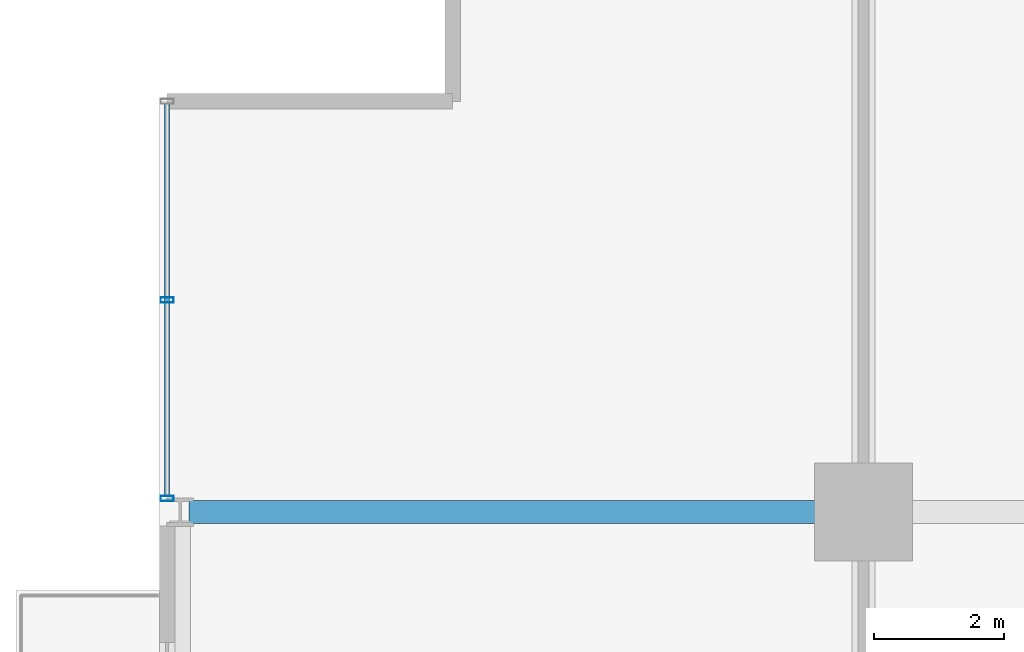
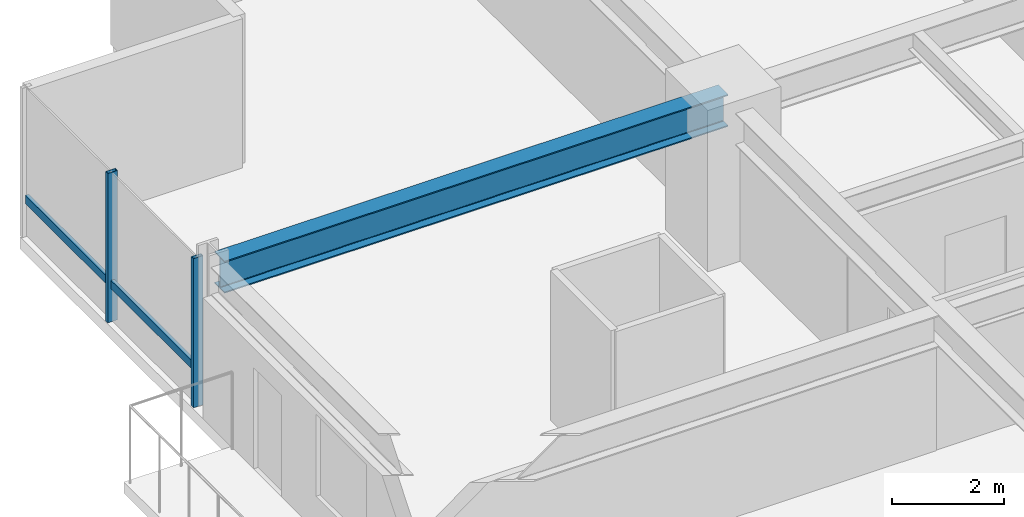
# One storey, part 18 of 35: 3 members, 1 beam, 1 element without a shape of its own.
"""IFC4 building model written with IfcOpenShell, lengths in metres."""

from ifc_helpers import new_model, si_unit, direction, frame, origin, origin_2d, place, context, subcontext, project, spatial, hollow_rectangle, i_section, extrude, material, layer, layer_set, material_profile, profile_set, type_object, element, aggregate, save


model = new_model("IFC4")

# Units and contexts
model_context = context("Model", 3, precision=1e-05, world=origin(), true_north=direction((0.0, 1.0)))
body_context = subcontext(model_context, "Body", "Model", "MODEL_VIEW")
ifc_project = project(units=[si_unit("LENGTHUNIT", "METRE"), si_unit("AREAUNIT", "SQUARE_METRE"), si_unit("VOLUMEUNIT", "CUBIC_METRE"), si_unit("PLANEANGLEUNIT", "RADIAN"), si_unit("MASSUNIT", "GRAM", prefix="KILO")], contexts=[model_context])

# Site, building, storey
site_placement = place(None, origin())
site = spatial("IfcSite", under=ifc_project, at=site_placement, CompositionType="ELEMENT")
building_placement = place(site_placement, origin())
building = spatial("IfcBuilding", under=site, at=building_placement, Name="Drelvath Grand Hotel", CompositionType="ELEMENT")
storey_placement = place(building_placement, frame((0.0, 0.0, 130.300048828125)))
storey = spatial("IfcBuildingStorey", under=building, at=storey_placement, Name="L33", CompositionType="ELEMENT", Elevation=130.300048828125)

# Curtain wall, members
ifc_material_1 = material(Name="Champagne Bronze Anodised Aluminium Frame", Category="aluminium")
ifc_layer = layer(ifc_material_1, 0.199951171875)
ifc_layer_set = layer_set([ifc_layer], Name="Champagne Bronze Anodised Aluminium Frame")
curtain_wall_type = type_object("IfcCurtainWallType", Name="Stick Curtain Wall CW-03 Champagne Bronze Mid-Rise", PredefinedType="NOTDEFINED", material=ifc_layer_set)
curtain_wall_placement = place(storey_placement, origin())
curtain_wall = element("IfcCurtainWall", 1, at=curtain_wall_placement, inside=storey, type_object=curtain_wall_type, Name="L33 CW-03 Curtain Wall CW03-L33-WN3", PredefinedType="NOTDEFINED")
ifc_material_profile_1 = material_profile(ifc_material_1, hollow_rectangle(XDim=0.074951171875, YDim=0.179931640625, WallThickness=0.0048828125, at=origin_2d()), Name="HSS180X75X5")
ifc_profile_set_1 = profile_set([ifc_material_profile_1], Name="Champagne Bronze Anodised Aluminium Frame")
member_type_1 = type_object("IfcMemberType", Name="Curtain Wall Horizontal Transom CW-03 HSS180X75X5", PredefinedType="USERDEFINED", material=ifc_profile_set_1)
member_1_placement = place(storey_placement, frame((-26.8798828125, 43.449462890625, 0.81005859375), z_axis=(0.0, 1.0, 0.0), x_axis=(-1.0, 0.0, 0.0)))
member_1 = element("IfcMember", 2, at=member_1_placement, type_object=member_type_1, Name="CW03-L33-WN3 Sill Transom", ObjectType="TRANSOM", PredefinedType="USERDEFINED", context=body_context, shape_type="SweptSolid", body=[
    extrude(hollow_rectangle(XDim=0.074951171875, YDim=0.179931640625, WallThickness=0.0048828125, at=origin_2d()), origin(), (0.0, 0.0, 1.0), 6.010498046875),
])
ifc_material_profile_2 = material_profile(ifc_material_1, hollow_rectangle(XDim=0.080078125, YDim=0.199951171875, WallThickness=0.0048828125, at=origin_2d()), Name="HSS200X80X5")
ifc_profile_set_2 = profile_set([ifc_material_profile_2], Name="Champagne Bronze Anodised Aluminium Frame")
member_type_2 = type_object("IfcMemberType", Name="Curtain Wall Vertical Mullion CW-03 HSS200X80X5", PredefinedType="MULLION", material=ifc_profile_set_2)
member_2_placement = place(storey_placement, frame((-26.8798828125, 43.409423828125, 0.0), z_axis=(0.0, 0.0, 1.0), x_axis=(0.0, 1.0, 0.0)))
member_2 = element("IfcMember", 3, at=member_2_placement, type_object=member_type_2, Name="CW03-L33-WN3 Mullion 1", PredefinedType="MULLION", context=body_context, shape_type="SweptSolid", body=[
    extrude(hollow_rectangle(XDim=0.080078125, YDim=0.199951171875, WallThickness=0.0048828125, at=origin_2d()), origin(), (0.0, 0.0, 1.0), 3.239990234375),
])
member_3_placement = place(storey_placement, frame((-26.8798828125, 46.45458984375, 0.0), z_axis=(0.0, 0.0, 1.0), x_axis=(0.0, 1.0, 0.0)))
member_3 = element("IfcMember", 4, at=member_3_placement, type_object=member_type_2, Name="CW03-L33-WN3 Mullion 2", PredefinedType="MULLION", context=body_context, shape_type="SweptSolid", body=[
    extrude(hollow_rectangle(XDim=0.080078125, YDim=0.199951171875, WallThickness=0.0048828125, at=origin_2d()), origin(), (0.0, 0.0, 1.0), 3.239990234375),
])
aggregate(curtain_wall, [member_2, member_3, member_1])

# Beam
ifc_material_2 = material(Name="Steel ASTM A992 Gr 50", Category="steel")
ifc_material_profile_3 = material_profile(ifc_material_2, i_section(OverallWidth=0.354736328125, OverallDepth=0.695556640625, WebThickness=0.015380859375, FlangeThickness=0.025146484375, FilletRadius=0.02392578125, at=origin_2d()), Name="W27X146")
ifc_profile_set_3 = profile_set([ifc_material_profile_3], Name="Steel ASTM A992 Gr 50")
beam_type = type_object("IfcBeamType", Name="Primary Floor Girder W27X146", PredefinedType="BEAM", material=ifc_profile_set_3)
beam_placement = place(storey_placement, frame((-26.5400390625, 43.199951171875, 2.892333984375), z_axis=(1.0, 0.0, 0.0), x_axis=(0.0, 1.0, 0.0)))
element("IfcBeam", 5, at=beam_placement, inside=storey, type_object=beam_type, Name="L33 West Grid Girder G", PredefinedType="BEAM", context=body_context, shape_type="SweptSolid", body=[
    extrude(i_section(OverallWidth=0.354736328125, OverallDepth=0.695556640625, WebThickness=0.015380859375, FlangeThickness=0.025146484375, FilletRadius=0.02392578125, at=origin_2d()), origin(), (0.0, 0.0, 1.0), 10.340087890625),
])

save(model, "model.ifc")
